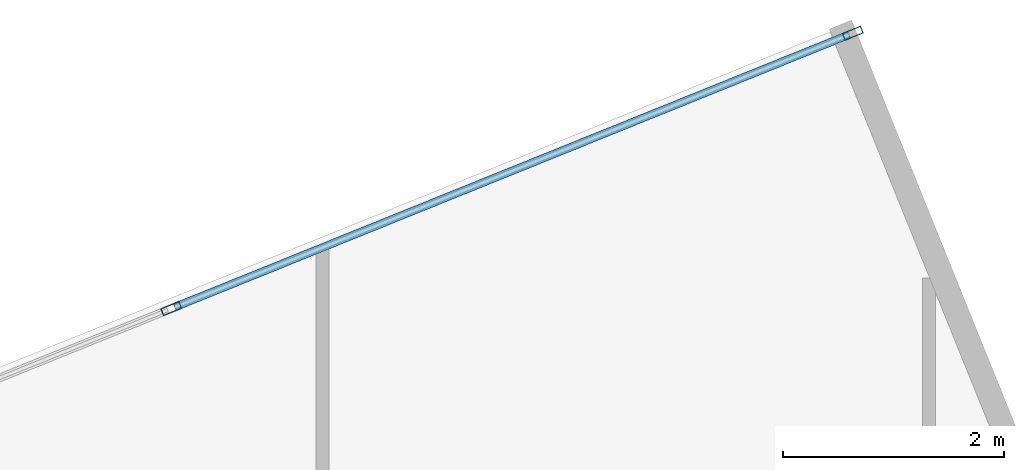
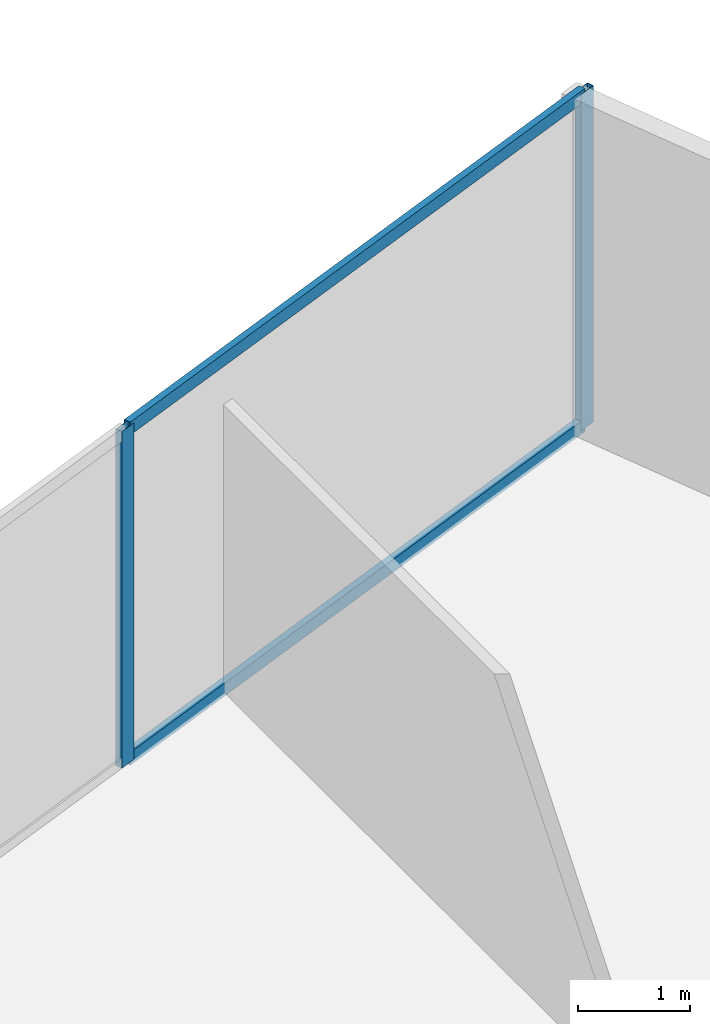
# One storey, part 15 of 21: 4 members, 1 element without a shape of its own.
"""IFC4 building model written with IfcOpenShell, lengths in metres."""

from ifc_helpers import new_model, si_unit, direction, frame, origin, origin_2d, place, context, subcontext, project, spatial, hollow_rectangle, extrude, source, transform, mapped, material, material_profile, profile_set, type_object, type_shapes, element, aggregate, save


model = new_model("IFC4")

# Units and contexts
model_context = context("Model", 3, precision=1e-05, world=origin(), true_north=direction((0.0, 1.0)))
body_context = subcontext(model_context, "Body", "Model", "MODEL_VIEW")
ifc_project = project(units=[si_unit("LENGTHUNIT", "METRE"), si_unit("AREAUNIT", "SQUARE_METRE"), si_unit("VOLUMEUNIT", "CUBIC_METRE"), si_unit("PLANEANGLEUNIT", "RADIAN"), si_unit("MASSUNIT", "GRAM", prefix="KILO")], contexts=[model_context])

# Site, building, storey
site_placement = place(None, origin())
site = spatial("IfcSite", under=ifc_project, at=site_placement, CompositionType="ELEMENT")
building_placement = place(site_placement, origin())
building = spatial("IfcBuilding", under=site, at=building_placement, Name="Krantzveldt Concourse Tower", CompositionType="ELEMENT")
storey_placement = place(building_placement, frame((0.0, 0.0, 323.75)))
storey = spatial("IfcBuildingStorey", under=building, at=storey_placement, Name="L79", CompositionType="ELEMENT", Elevation=323.75)

# Curtain wall, members
ifc_material = material(Name="Anodised aluminium 6063-T6", Category="aluminium")
curtain_wall_type = type_object("IfcCurtainWallType", Name="CW4", PredefinedType="USERDEFINED", material=ifc_material)
curtain_wall_placement = place(storey_placement, origin())
curtain_wall = element("IfcCurtainWall", 1, at=curtain_wall_placement, inside=storey, type_object=curtain_wall_type, Name="CW-L79-F01", ObjectType="UNITISED CURTAIN WALL", PredefinedType="USERDEFINED")
ifc_material_profile_1 = material_profile(ifc_material, hollow_rectangle(XDim=0.070068359375, YDim=0.179931640625, WallThickness=0.0048828125, at=origin_2d()), Name="Anodised aluminium 6063-T6", Category="aluminium")
ifc_profile_set_1 = profile_set([ifc_material_profile_1], Name="Anodised aluminium 6063-T6 - ALU-MULL 180x70x5")
member_type_1 = type_object("IfcMemberType", Name="CW-MUL-180", PredefinedType="MULLION", material=ifc_profile_set_1)
shared_shape_1 = source(origin(), body_context, "Body", "SweptSolid", [
    extrude(hollow_rectangle(XDim=0.070068359375, YDim=0.179931640625, WallThickness=0.0048828125, at=origin_2d()), origin(), (0.0, 0.0, 1.0), 3.669921875),
])
type_shapes(member_type_1, [shared_shape_1])
member_1_placement = place(storey_placement, frame((41.30810546875, 49.23974609375, 0.0), z_axis=(0.0, 0.0, 1.0), x_axis=(0.374606664198, -0.927183825969, 0.0)))
member_1 = element("IfcMember", 2, at=member_1_placement, type_object=member_type_1, Name="CW-Z56 mullion 1", PredefinedType="MULLION", context=body_context, shape_type="MappedRepresentation", body=[
    mapped(shared_shape_1, transform((0.0, 0.0, 0.0), x_axis=(1.0, 0.0, 0.0), y_axis=(0.0, 1.0, 0.0), z_axis=(0.0, 0.0, 1.0), scale=1.0)),
])
member_2_placement = place(storey_placement, frame((35.12841796875, 46.742919921875, 0.0), z_axis=(0.0, 0.0, 1.0), x_axis=(0.374606664198, -0.927183825969, 0.0)))
member_2 = element("IfcMember", 3, at=member_2_placement, type_object=member_type_1, Name="CW-Z56 mullion 2", PredefinedType="MULLION", context=body_context, shape_type="MappedRepresentation", body=[
    mapped(shared_shape_1, transform((0.0, 0.0, 0.0), x_axis=(1.0, 0.0, 0.0), y_axis=(0.0, 1.0, 0.0), z_axis=(0.0, 0.0, 1.0), scale=1.0)),
])
ifc_material_profile_2 = material_profile(ifc_material, hollow_rectangle(XDim=0.070068359375, YDim=0.139892578125, WallThickness=0.0048828125, at=origin_2d()), Name="Anodised aluminium 6063-T6", Category="aluminium")
ifc_profile_set_2 = profile_set([ifc_material_profile_2], Name="Anodised aluminium 6063-T6 - ALU-TRAN 140x70x5")
member_type_2 = type_object("IfcMemberType", Name="CW-TRN-150", PredefinedType="USERDEFINED", material=ifc_profile_set_2)
shared_shape_2 = source(origin(), body_context, "Body", "SweptSolid", [
    extrude(hollow_rectangle(XDim=0.070068359375, YDim=0.139892578125, WallThickness=0.0048828125, at=origin_2d()), origin(), (0.0, 0.0, 1.0), 6.594970703125),
])
type_shapes(member_type_2, [shared_shape_2])
member_3_placement = place(storey_placement, frame((41.275634765625, 49.2265625, 0.034912109375), z_axis=(-0.927186951391, -0.374598928417, 0.0), x_axis=(0.374598928417, -0.927186951391, 0.0)))
member_3 = element("IfcMember", 4, at=member_3_placement, type_object=member_type_2, Name="CW-Z56 transom 1.1", ObjectType="TRANSOM", PredefinedType="USERDEFINED", context=body_context, shape_type="MappedRepresentation", body=[
    mapped(shared_shape_2, transform((0.0, 0.0, 0.0), x_axis=(1.0, 0.0, 0.0), y_axis=(0.0, 1.0, 0.0), z_axis=(0.0, 0.0, 1.0), scale=1.0)),
])
member_4_placement = place(storey_placement, frame((41.275634765625, 49.2265625, 3.635009765625), z_axis=(-0.927186951391, -0.374598928417, 0.0), x_axis=(0.374598928417, -0.927186951391, 0.0)))
member_4 = element("IfcMember", 5, at=member_4_placement, type_object=member_type_2, Name="CW-Z56 transom 1.2", ObjectType="TRANSOM", PredefinedType="USERDEFINED", context=body_context, shape_type="MappedRepresentation", body=[
    mapped(shared_shape_2, transform((0.0, 0.0, 0.0), x_axis=(1.0, 0.0, 0.0), y_axis=(0.0, 1.0, 0.0), z_axis=(0.0, 0.0, 1.0), scale=1.0)),
])
aggregate(curtain_wall, [member_1, member_2, member_3, member_4])

save(model, "model.ifc")
